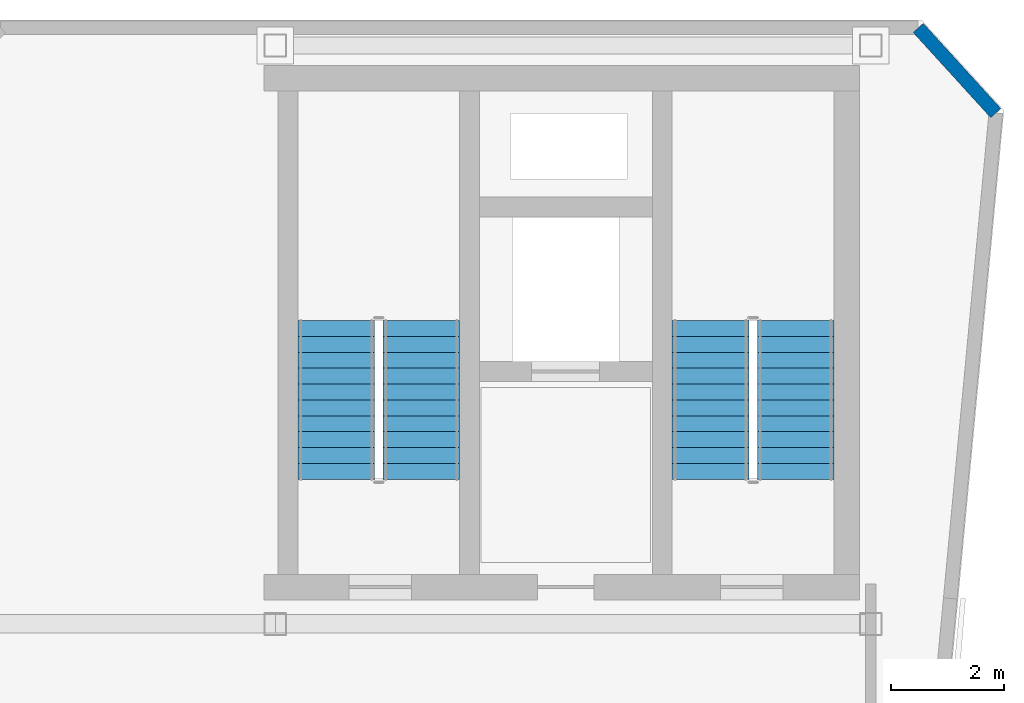
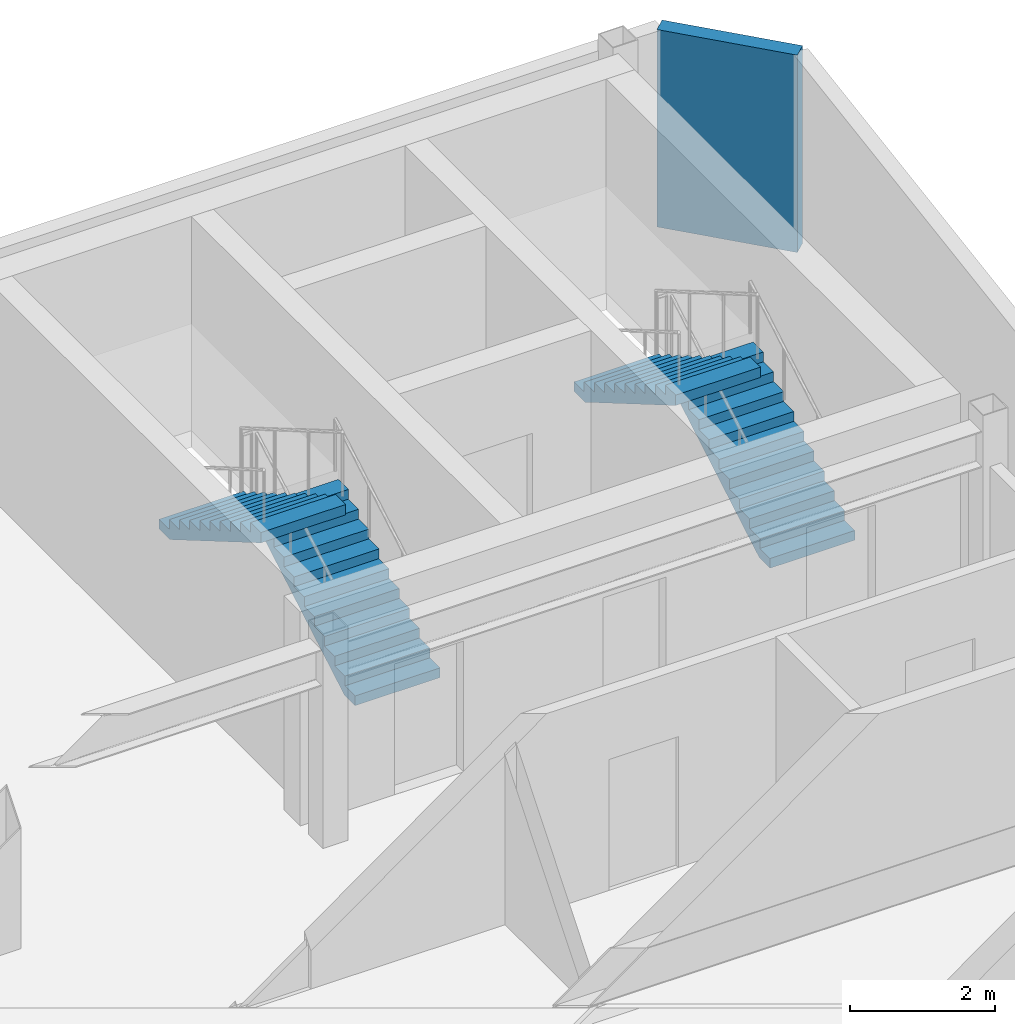
# One storey, part 2 of 3: 4 stair flights, 1 wall, 2 elements without a shape of their own.
"""IFC4 building model written with IfcOpenShell, lengths in metres."""

from ifc_helpers import new_model, si_unit, direction, frame, frame_2d, origin, place, context, subcontext, project, spatial, polyline, rectangle, outline, extrude, material, layer, layer_set, type_object, element, aggregate, save


model = new_model("IFC4")

# Units and contexts
model_context = context("Model", 3, precision=1e-05, world=origin(), true_north=direction((0.0, 1.0)))
body_context = subcontext(model_context, "Body", "Model", "MODEL_VIEW")
ifc_project = project(units=[si_unit("LENGTHUNIT", "METRE"), si_unit("AREAUNIT", "SQUARE_METRE"), si_unit("VOLUMEUNIT", "CUBIC_METRE"), si_unit("PLANEANGLEUNIT", "RADIAN"), si_unit("MASSUNIT", "GRAM", prefix="KILO")], contexts=[model_context])

# Site, building, storey
site_placement = place(None, origin())
site = spatial("IfcSite", under=ifc_project, at=site_placement, CompositionType="ELEMENT")
building_placement = place(site_placement, origin())
building = spatial("IfcBuilding", under=site, at=building_placement, Name="Kravanh Interchange Tower", CompositionType="ELEMENT")
storey_placement = place(building_placement, frame((0.0, 0.0, 330.0)))
storey = spatial("IfcBuildingStorey", under=building, at=storey_placement, Name="L82", CompositionType="ELEMENT", Elevation=330.0)

# Wall
ifc_material_1 = material(Name="Insulated Concrete C40/50 with Bronze Rainscreen", Category="concrete")
ifc_layer_1 = layer(ifc_material_1, 0.239990234375)
ifc_layer_set_1 = layer_set([ifc_layer_1], Name="Exterior Insulated Concrete C40/50 Crown Enclosure Wall 240mm")
wall_type = type_object("IfcWallType", Name="Exterior Insulated Concrete C40/50 Crown Enclosure Wall 240mm", PredefinedType="STANDARD", material=ifc_layer_set_1)
wall_placement = place(storey_placement, frame((67.338134765625, 47.860107421875, 0.0), z_axis=(0.0, 0.0, 1.0), x_axis=(0.673276865928, -0.739390466402, 0.0)))
element("IfcWall", 1, at=wall_placement, inside=storey, type_object=wall_type, Name="L82 Exterior Enclosure Wall 5", PredefinedType="STANDARD", context=body_context, shape_type="SweptSolid", body=[
    extrude(rectangle(XDim=2.031005859375, YDim=0.239990234375, at=frame_2d((1.015625, 0.0))), origin(), (0.0, 0.0, 1.0), 3.320068359375),
])

# Stair, stair flights
ifc_material_2 = material(Name="Concrete C50/60", Category="concrete")
stair_type = type_object("IfcStairType", Name="Core Fire Exit Dogleg Stair Concrete C50/60", PredefinedType="HALF_TURN_STAIR", material=ifc_material_2)
stair_1_placement = place(storey_placement, origin())
stair_1 = element("IfcStair", 2, at=stair_1_placement, inside=storey, type_object=stair_type, Name="L82 Exit Stair ST1", PredefinedType="HALF_TURN_STAIR")
ifc_material_3 = material(Name="Precast Concrete C50/60", Category="concrete")
ifc_layer_2 = layer(ifc_material_3, 0.199951171875)
ifc_layer_set_2 = layer_set([ifc_layer_2], Name="Precast Concrete C50/60 Stair Flight 1350mm")
stair_flight_type = type_object("IfcStairFlightType", Name="Precast Concrete C50/60 Stair Flight 1350mm", PredefinedType="STRAIGHT", material=ifc_layer_set_2)
stair_flight_1_placement = place(storey_placement, frame((65.175048828125, 39.89990234375, 0.0), z_axis=(0.0, 0.0, 1.0), x_axis=(0.0, 1.0, 0.0)))
stair_flight_1 = element("IfcStairFlight", 3, at=stair_flight_1_placement, type_object=stair_flight_type, Name="ST1 flight 1", NumberOfRisers=11, NumberOfTreads=10, PredefinedType="STRAIGHT", RiserHeight=0.163636364, TreadLength=0.28, context=body_context, shape_type="SweptSolid", body=[
    extrude(outline(polyline([(0.0, 0.0), (0.0, 0.16357421875), (0.280029296875, 0.16357421875), (0.280029296875, 0.327392578125), (0.56005859375, 0.327392578125), (0.56005859375, 0.490966796875), (0.840087890625, 0.490966796875), (0.840087890625, 0.654541015625), (1.1201171875, 0.654541015625), (1.1201171875, 0.818115234375), (1.39990234375, 0.818115234375), (1.39990234375, 0.98193359375), (1.679931640625, 0.98193359375), (1.679931640625, 1.1455078125), (1.9599609375, 1.1455078125), (1.9599609375, 1.30908203125), (2.239990234375, 1.30908203125), (2.239990234375, 1.47265625), (2.52001953125, 1.47265625), (2.52001953125, 1.636474609375), (2.800048828125, 1.636474609375), (2.800048828125, 1.800048828125), (2.800048828125, 1.462646484375), (0.297119140625, 0.0), (0.0, 0.0)])), frame((0.0, 0.675048828125, 0.0), z_axis=(0.0, -1.0, 0.0), x_axis=(1.0, 0.0, 0.0)), (0.0, 0.0, 1.0), 1.35009765625),
])
stair_flight_2_placement = place(storey_placement, frame((63.675048828125, 42.699951171875, 1.800048828125), z_axis=(0.0, 0.0, 1.0), x_axis=(0.0, -1.0, 0.0)))
stair_flight_2 = element("IfcStairFlight", 4, at=stair_flight_2_placement, type_object=stair_flight_type, Name="ST1 flight 2", NumberOfRisers=11, NumberOfTreads=10, PredefinedType="STRAIGHT", RiserHeight=0.163636364, TreadLength=0.28, context=body_context, shape_type="SweptSolid", body=[
    extrude(outline(polyline([(0.0, 0.0), (0.0, 0.16357421875), (0.280029296875, 0.16357421875), (0.280029296875, 0.327392578125), (0.56005859375, 0.327392578125), (0.56005859375, 0.490966796875), (0.840087890625, 0.490966796875), (0.840087890625, 0.654541015625), (1.1201171875, 0.654541015625), (1.1201171875, 0.818115234375), (1.39990234375, 0.818115234375), (1.39990234375, 0.98193359375), (1.679931640625, 0.98193359375), (1.679931640625, 1.1455078125), (1.9599609375, 1.1455078125), (1.9599609375, 1.30908203125), (2.239990234375, 1.30908203125), (2.239990234375, 1.47265625), (2.52001953125, 1.47265625), (2.52001953125, 1.636474609375), (2.800048828125, 1.636474609375), (2.800048828125, 1.800048828125), (2.800048828125, 1.462646484375), (0.297119140625, 0.0), (0.0, 0.0)])), frame((0.0, 0.675048828125, 0.0), z_axis=(0.0, -1.0, 0.0), x_axis=(1.0, 0.0, 0.0)), (0.0, 0.0, 1.0), 1.35009765625),
])
aggregate(stair_1, [stair_flight_1, stair_flight_2])

stair_2_placement = place(storey_placement, origin())
stair_2 = element("IfcStair", 5, at=stair_2_placement, inside=storey, type_object=stair_type, Name="L82 Exit Stair ST2", PredefinedType="HALF_TURN_STAIR")
stair_flight_3_placement = place(storey_placement, frame((58.574951171875, 39.89990234375, 0.0), z_axis=(0.0, 0.0, 1.0), x_axis=(0.0, 1.0, 0.0)))
stair_flight_3 = element("IfcStairFlight", 6, at=stair_flight_3_placement, type_object=stair_flight_type, Name="ST2 flight 1", NumberOfRisers=11, NumberOfTreads=10, PredefinedType="STRAIGHT", RiserHeight=0.163636364, TreadLength=0.28, context=body_context, shape_type="SweptSolid", body=[
    extrude(outline(polyline([(0.0, 0.0), (0.0, 0.16357421875), (0.280029296875, 0.16357421875), (0.280029296875, 0.327392578125), (0.56005859375, 0.327392578125), (0.56005859375, 0.490966796875), (0.840087890625, 0.490966796875), (0.840087890625, 0.654541015625), (1.1201171875, 0.654541015625), (1.1201171875, 0.818115234375), (1.39990234375, 0.818115234375), (1.39990234375, 0.98193359375), (1.679931640625, 0.98193359375), (1.679931640625, 1.1455078125), (1.9599609375, 1.1455078125), (1.9599609375, 1.30908203125), (2.239990234375, 1.30908203125), (2.239990234375, 1.47265625), (2.52001953125, 1.47265625), (2.52001953125, 1.636474609375), (2.800048828125, 1.636474609375), (2.800048828125, 1.800048828125), (2.800048828125, 1.462646484375), (0.297119140625, 0.0), (0.0, 0.0)])), frame((0.0, 0.675048828125, 0.0), z_axis=(0.0, -1.0, 0.0), x_axis=(1.0, 0.0, 0.0)), (0.0, 0.0, 1.0), 1.35009765625),
])
stair_flight_4_placement = place(storey_placement, frame((57.074951171875, 42.699951171875, 1.800048828125), z_axis=(0.0, 0.0, 1.0), x_axis=(0.0, -1.0, 0.0)))
stair_flight_4 = element("IfcStairFlight", 7, at=stair_flight_4_placement, type_object=stair_flight_type, Name="ST2 flight 2", NumberOfRisers=11, NumberOfTreads=10, PredefinedType="STRAIGHT", RiserHeight=0.163636364, TreadLength=0.28, context=body_context, shape_type="SweptSolid", body=[
    extrude(outline(polyline([(0.0, 0.0), (0.0, 0.16357421875), (0.280029296875, 0.16357421875), (0.280029296875, 0.327392578125), (0.56005859375, 0.327392578125), (0.56005859375, 0.490966796875), (0.840087890625, 0.490966796875), (0.840087890625, 0.654541015625), (1.1201171875, 0.654541015625), (1.1201171875, 0.818115234375), (1.39990234375, 0.818115234375), (1.39990234375, 0.98193359375), (1.679931640625, 0.98193359375), (1.679931640625, 1.1455078125), (1.9599609375, 1.1455078125), (1.9599609375, 1.30908203125), (2.239990234375, 1.30908203125), (2.239990234375, 1.47265625), (2.52001953125, 1.47265625), (2.52001953125, 1.636474609375), (2.800048828125, 1.636474609375), (2.800048828125, 1.800048828125), (2.800048828125, 1.462646484375), (0.297119140625, 0.0), (0.0, 0.0)])), frame((0.0, 0.675048828125, 0.0), z_axis=(0.0, -1.0, 0.0), x_axis=(1.0, 0.0, 0.0)), (0.0, 0.0, 1.0), 1.35009765625),
])
aggregate(stair_2, [stair_flight_3, stair_flight_4])

save(model, "model.ifc")
